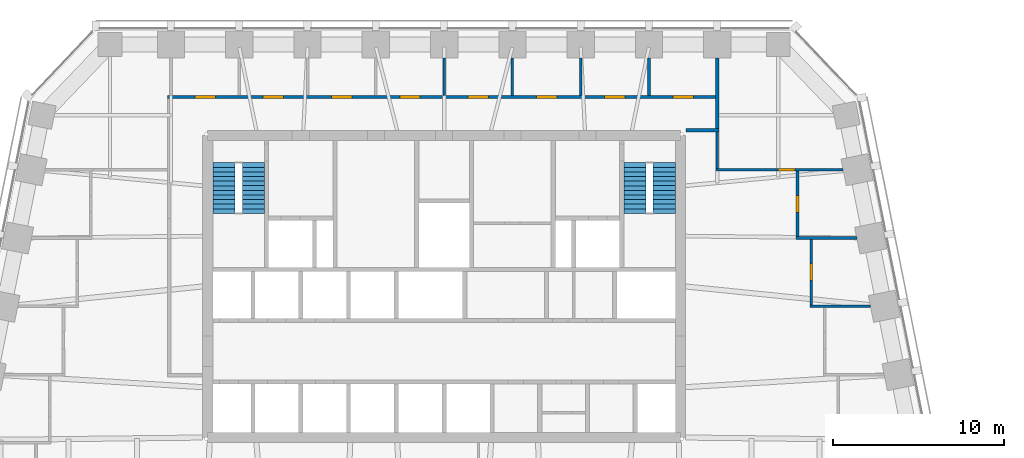
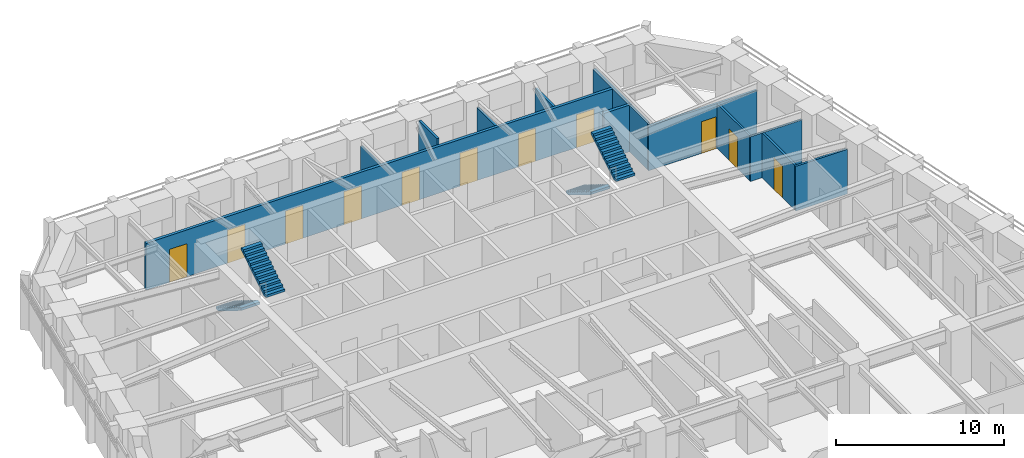
# One storey, part 9 of 11: 13 walls, 11 doors, 4 stair flights, 11 openings, 2 elements without a shape of their own.
"""IFC4 building model written with IfcOpenShell, lengths in metres."""

import ifcopenshell
import ifcopenshell.guid

model = None  # the IFC model being written
_history = None  # IfcOwnerHistory: only IFC2X3 demands one
_inside = {}  # id of a spatial element -> (the spatial element, [elements in it])
_under = {}  # id of a project, library or spatial element -> (it, [spatial elements below it])
_declared = {}  # id of a project -> (the project, [libraries it declares])
_typed = {}  # id of a type object -> (the type object, [elements of that type])
_made_of = {}  # id of a material, layer set ... -> (it, [elements and type objects made of it])


def new_model(schema):
    """Start an empty IFC model of exactly this schema.

    Asked for "IFC4X3", IfcOpenShell would pick the latest addendum, in which some entities
    have other attributes; the version numbers below select the first issue.
    IFC2X3 requires an IfcOwnerHistory on every rooted entity: one is made here for all.
    """
    global model, _history
    if schema == "IFC4X3":
        model = ifcopenshell.file(schema_version=(4, 3, 0, 0))
    else:
        model = ifcopenshell.file(schema=schema)
    _inside.clear()
    _under.clear()
    _declared.clear()
    _typed.clear()
    _made_of.clear()
    _history = None
    if model.schema == "IFC2X3":
        org = make("IfcOrganization", Name="unknown")
        user = make(
            "IfcPersonAndOrganization",
            ThePerson=make("IfcPerson", FamilyName="unknown"),
            TheOrganization=org,
        )
        app = make(
            "IfcApplication",
            ApplicationDeveloper=org,
            Version="unknown",
            ApplicationFullName="unknown",
            ApplicationIdentifier="unknown",
        )
        _history = make(
            "IfcOwnerHistory",
            OwningUser=user,
            OwningApplication=app,
            ChangeAction="ADDED",
            CreationDate=0,
        )
    return model


def make(cls, **values):
    """One entity of the class cls with the attributes given. An attribute that is None is left unset."""
    return model.create_entity(
        cls, **{name: value for name, value in values.items() if value is not None}
    )


def rooted(cls, **values):
    """An entity with a GlobalId (a new one), such as an element, a storey or a relation."""
    return make(cls, GlobalId=ifcopenshell.guid.new(), OwnerHistory=_history, **values)


def si_unit(unit_type, name, prefix=None):
    """IfcSIUnit, for example si_unit("LENGTHUNIT", "METRE", prefix="MILLI")."""
    return make("IfcSIUnit", UnitType=unit_type, Prefix=prefix, Name=name)


def assignment(units):
    """IfcUnitAssignment: the units of a project."""
    return None if units is None else make("IfcUnitAssignment", Units=units)


def point(xyz):
    """IfcCartesianPoint."""
    return None if xyz is None else make("IfcCartesianPoint", Coordinates=xyz)


def direction(xyz):
    """IfcDirection."""
    return None if xyz is None else make("IfcDirection", DirectionRatios=xyz)


def frame(location, z_axis=None, x_axis=None):
    """IfcAxis2Placement3D, a coordinate frame: its origin and axes. An axis left out is left unset."""
    return make(
        "IfcAxis2Placement3D",
        Location=point(location),
        Axis=direction(z_axis),
        RefDirection=direction(x_axis),
    )


def frame_2d(location, x_axis=None):
    """IfcAxis2Placement2D, a coordinate frame in the plane: its origin and x axis."""
    return make(
        "IfcAxis2Placement2D", Location=point(location), RefDirection=direction(x_axis)
    )


def origin():
    """The frame at (0, 0, 0) with its axes left unset."""
    return frame((0.0, 0.0, 0.0))


def place(relative_to, where):
    """IfcLocalPlacement: puts the frame where relative to a parent placement (None: the world)."""
    return make(
        "IfcLocalPlacement", PlacementRelTo=relative_to, RelativePlacement=where
    )


def context(
    kind, dimensions, precision=None, world=None, true_north=None, identifier=None
):
    """IfcGeometricRepresentationContext, for example the 3D "Model" context."""
    return make(
        "IfcGeometricRepresentationContext",
        ContextIdentifier=identifier,
        ContextType=kind,
        CoordinateSpaceDimension=dimensions,
        Precision=precision,
        WorldCoordinateSystem=world,
        TrueNorth=true_north,
    )


def subcontext(parent, identifier, kind, view, scale=None):
    """IfcGeometricRepresentationSubContext, for example "Body" below "Model"."""
    return make(
        "IfcGeometricRepresentationSubContext",
        ContextIdentifier=identifier,
        ContextType=kind,
        ParentContext=parent,
        TargetScale=scale,
        TargetView=view,
    )


def project(units=None, contexts=None):
    """IfcProject with its units and contexts."""
    return rooted(
        "IfcProject",
        Name="project",
        RepresentationContexts=contexts,
        UnitsInContext=assignment(units),
    )


def spatial(cls, under=None, at=None, **own):
    """A site, building, storey or space (cls), placed at a placement, below another one or the project."""
    s = rooted(cls, ObjectPlacement=at, **own)
    if under is not None:
        _under.setdefault(under.id(), (under, []))[1].append(s)
    return s


def polyline(points):
    """IfcPolyline through the points."""
    return make("IfcPolyline", Points=[point(p) for p in points])


def profile(cls, at=None, kind="AREA", **sizes):
    """A parametric profile (cls). Its sizes go by their IFC names, for example OverallWidth=200.0."""
    return make(cls, ProfileType=kind, Position=at, **sizes)


def rectangle(**sizes):
    """IfcRectangleProfileDef."""
    return profile("IfcRectangleProfileDef", **sizes)


def outline(outer, holes=None, kind="AREA"):
    """IfcArbitraryClosedProfileDef: a profile drawn as a closed curve; with holes, ...WithVoids."""
    if holes is None:
        return make("IfcArbitraryClosedProfileDef", ProfileType=kind, OuterCurve=outer)
    return make(
        "IfcArbitraryProfileDefWithVoids",
        ProfileType=kind,
        OuterCurve=outer,
        InnerCurves=holes,
    )


def extrude(swept, where, along, depth):
    """IfcExtrudedAreaSolid: the profile swept, set in the frame where, extruded along a direction by depth."""
    return make(
        "IfcExtrudedAreaSolid",
        SweptArea=swept,
        Position=where,
        ExtrudedDirection=direction(along),
        Depth=depth,
    )


def shape(context_of_items, identifier, shape_type, items):
    """IfcShapeRepresentation: the items that make up one representation, for example the "Body"."""
    return make(
        "IfcShapeRepresentation",
        ContextOfItems=context_of_items,
        RepresentationIdentifier=identifier,
        RepresentationType=shape_type,
        Items=items,
    )


def material(Name=None, Category=None):
    """IfcMaterial."""
    return make("IfcMaterial", Name=Name, Category=Category)


def layer(
    of_material, thickness, ventilated=None, Name=None, Category=None, Priority=None
):
    """IfcMaterialLayer: one layer of a wall or slab, of a material (None: an air gap)."""
    return make(
        "IfcMaterialLayer",
        Material=of_material,
        LayerThickness=thickness,
        IsVentilated=ventilated,
        Name=Name,
        Category=Category,
        Priority=Priority,
    )


def layer_set(layers, Name=None):
    """IfcMaterialLayerSet."""
    return make("IfcMaterialLayerSet", MaterialLayers=layers, LayerSetName=Name)


def made_of(thing, what):
    """Note that an element or type object is made of a material, layer set ...; save() writes the relation."""
    if what is not None:
        _made_of.setdefault(what.id(), (what, []))[1].append(thing)
    return thing


def type_object(cls, material=None, **own):
    """A type object (cls), such as IfcWallType, which elements share."""
    return made_of(rooted(cls, **own), material)


def element(
    cls,
    number,
    at=None,
    inside=None,
    cuts=None,
    type_object=None,
    material=None,
    context=None,
    identifier="Body",
    shape_type=None,
    held_by="IfcProductDefinitionShape",
    body=None,
    shapes=None,
    **own,
):
    """One element of the class cls, such as IfcWall. Its Tag is "e" and its number.

    at: its placement. inside: the storey or other place that contains it. cuts: it is an
    opening in that element (IfcRelVoidsElement). A single representation is given by context,
    identifier, shape_type and body (its items); several are given by shapes. held_by: the class
    of the entity that holds the representations. save() writes the other relations.
    """
    e = rooted(cls, Tag="e%d" % number, ObjectPlacement=at, **own)
    if body is not None:
        shapes = [shape(context, identifier, shape_type, body)]
    if shapes is not None:
        e.Representation = make(held_by, Representations=shapes)
    if inside is not None:
        _inside.setdefault(inside.id(), (inside, []))[1].append(e)
    if cuts is not None:
        rooted(
            "IfcRelVoidsElement", RelatingBuildingElement=cuts, RelatedOpeningElement=e
        )
    if type_object is not None:
        _typed.setdefault(type_object.id(), (type_object, []))[1].append(e)
    return made_of(e, material)


def fill(opening, filler):
    """IfcRelFillsElement: the door or window that sits in an opening."""
    return rooted(
        "IfcRelFillsElement",
        RelatingOpeningElement=opening,
        RelatedBuildingElement=filler,
    )


def aggregate(whole, parts):
    """IfcRelAggregates: a whole, such as a stair, and the parts it consists of."""
    return rooted("IfcRelAggregates", RelatingObject=whole, RelatedObjects=parts)


def save(model, path):
    """Write the relations noted so far, then the file.

    IfcRelAggregates (storeys below a building ...), IfcRelContainedInSpatialStructure (elements
    in a storey), IfcRelDefinesByType, IfcRelAssociatesMaterial and IfcRelDeclares: one each for
    every whole, place, type object, material and project.
    """
    for whole, parts in _under.values():
        aggregate(whole, parts)
    for where, things in _inside.values():
        rooted(
            "IfcRelContainedInSpatialStructure",
            RelatedElements=things,
            RelatingStructure=where,
        )
    for kind, things in _typed.values():
        rooted("IfcRelDefinesByType", RelatedObjects=things, RelatingType=kind)
    for what, things in _made_of.values():
        rooted("IfcRelAssociatesMaterial", RelatedObjects=things, RelatingMaterial=what)
    for by, libraries in _declared.values():
        rooted("IfcRelDeclares", RelatingContext=by, RelatedDefinitions=libraries)
    model.write(path)


model = new_model("IFC4")

# Units and contexts
model_context = context("Model", 3, precision=1e-05, world=origin(), true_north=direction((0.0, 1.0)))
body_context = subcontext(model_context, "Body", "Model", "MODEL_VIEW")
ifc_project = project(units=[si_unit("LENGTHUNIT", "METRE"), si_unit("AREAUNIT", "SQUARE_METRE"), si_unit("VOLUMEUNIT", "CUBIC_METRE"), si_unit("PLANEANGLEUNIT", "RADIAN"), si_unit("MASSUNIT", "GRAM", prefix="KILO")], contexts=[model_context])

# Site, building, storey
site_placement = place(None, origin())
site = spatial("IfcSite", under=ifc_project, at=site_placement, CompositionType="ELEMENT")
building_placement = place(site_placement, origin())
building = spatial("IfcBuilding", under=site, at=building_placement, Name="Isbrekke Arena Tower", CompositionType="ELEMENT")
storey_placement = place(building_placement, frame((0.0, 0.0, 210.0)))
storey = spatial("IfcBuildingStorey", under=building, at=storey_placement, Name="L48", CompositionType="ELEMENT", Elevation=210.0)

# Walls
ifc_material_1 = material(Name="Gypsum board partition on steel studs", Category="steel")
ifc_layer_1 = layer(ifc_material_1, 0.14990234375)
ifc_layer_set_1 = layer_set([ifc_layer_1], Name="IW1 PARTITION 150")
wall_type_1 = type_object("IfcWallType", Name="IW1 PARTITION 150", PredefinedType="PARTITIONING", material=ifc_layer_set_1)
for number, where, z_axis, x_axis, name in (
    (1, (21.425048828125, 13.840087890625, 0.0), (0.0, 0.0, 1.0), (1.0, 0.0, 0.0), "IW1 partition 150 L48"),
    (2, (20.625, 17.840087890625, 0.0), (0.0, 0.0, 1.0), (1.0, 0.0, 0.0), "IW1 partition 150 L48"),
):
    element("IfcWall", number, at=place(storey_placement, frame(where, z_axis=z_axis, x_axis=x_axis)), inside=storey, type_object=wall_type_1, Name=name, PredefinedType="PARTITIONING", context=body_context, shape_type="SweptSolid", body=[
        extrude(rectangle(XDim=3.5498046875, YDim=0.14990234375, at=frame_2d((1.77490234375, 0.0))), origin(), (0.0, 0.0, 1.0), 3.25),
    ])

# Wall, opening, door
wall_1_placement = place(storey_placement, frame((15.925048828125, 21.840087890625, 0.0), z_axis=(0.0, 0.0, 1.0), x_axis=(1.0, 0.0, 0.0)))
wall_1 = element("IfcWall", 3, at=wall_1_placement, inside=storey, type_object=wall_type_1, Name="IW1 partition 150 L48", PredefinedType="PARTITIONING", context=body_context, shape_type="SweptSolid", body=[
    extrude(rectangle(XDim=7.44970703125, YDim=0.14990234375, at=frame_2d((3.724853515625, 0.0))), origin(), (0.0, 0.0, 1.0), 3.25),
])
opening_1_placement = place(wall_1_placement, frame((3.634033203125, 0.0, 0.0)))
opening_1 = element("IfcOpeningElement", 4, at=opening_1_placement, cuts=wall_1, Name="Opening D10", PredefinedType="OPENING", context=body_context, shape_type="SweptSolid", body=[
    extrude(rectangle(XDim=1.0, YDim=2.300048828125, at=frame_2d((0.5, 1.14990234375))), frame((0.0, 0.08984375, 0.0), z_axis=(0.0, -1.0, 0.0), x_axis=(1.0, 0.0, 0.0)), (0.0, 0.0, 1.0), 0.1796875),
])
ifc_material_2 = material(Name="Timber door", Category="wood")
door_type_1 = type_object("IfcDoorType", Name="D10 OFFICE DOOR 1000 x 2300", OperationType="SINGLE_SWING_LEFT", PredefinedType="DOOR", material=ifc_material_2)
door_1_placement = place(opening_1_placement, origin())
door_1 = element("IfcDoor", 5, at=door_1_placement, inside=storey, type_object=door_type_1, Name="D10 office door L48", OperationType="SINGLE_SWING_LEFT", OverallHeight=2.300048828125, OverallWidth=1.0, PredefinedType="DOOR", context=body_context, shape_type="SweptSolid", body=[
    extrude(rectangle(XDim=1.0, YDim=2.300048828125, at=frame_2d((0.5, 1.14990234375))), frame((0.0, 0.07470703125, 0.0), z_axis=(0.0, -1.0, 0.0), x_axis=(1.0, 0.0, 0.0)), (0.0, 0.0, 1.0), 0.1494140625),
])
fill(opening_1, door_1)

# Walls
wall_2_placement = place(storey_placement, frame((0.0, 26.199951171875, 0.0), z_axis=(0.0, 0.0, 1.0), x_axis=(0.0, 1.0, 0.0)))
element("IfcWall", 6, at=wall_2_placement, inside=storey, type_object=wall_type_1, Name="IW1 partition 150 L48", PredefinedType="PARTITIONING", context=body_context, shape_type="SweptSolid", body=[
    extrude(rectangle(XDim=2.175048828125, YDim=0.14990234375, at=frame_2d((1.08740234375, 0.0))), origin(), (0.0, 0.0, 1.0), 3.39990234375),
])
wall_3_placement = place(storey_placement, frame((4.0, 26.199951171875, 0.0), z_axis=(0.0, 0.0, 1.0), x_axis=(0.0, 1.0, 0.0)))
element("IfcWall", 7, at=wall_3_placement, inside=storey, type_object=wall_type_1, Name="IW1 partition 150 L48", PredefinedType="PARTITIONING", context=body_context, shape_type="SweptSolid", body=[
    extrude(rectangle(XDim=2.175048828125, YDim=0.14990234375, at=frame_2d((1.08740234375, 0.0))), origin(), (0.0, 0.0, 1.0), 3.85009765625),
])
for number, where, z_axis, x_axis, name in (
    (8, (8.0, 26.199951171875, 0.0), (0.0, 0.0, 1.0), (0.0, 1.0, 0.0), "IW1 partition 150 L48"),
    (9, (12.0, 26.199951171875, 0.0), (0.0, 0.0, 1.0), (0.0, 1.0, 0.0), "IW1 partition 150 L48"),
):
    element("IfcWall", number, at=place(storey_placement, frame(where, z_axis=z_axis, x_axis=x_axis)), inside=storey, type_object=wall_type_1, Name=name, PredefinedType="PARTITIONING", context=body_context, shape_type="SweptSolid", body=[
        extrude(rectangle(XDim=2.175048828125, YDim=0.14990234375, at=frame_2d((1.08740234375, 0.0))), origin(), (0.0, 0.0, 1.0), 3.39990234375),
    ])
wall_4_placement = place(storey_placement, frame((16.0, 21.9150390625, 0.0), z_axis=(0.0, 0.0, 1.0), x_axis=(0.0, 1.0, 0.0)))
element("IfcWall", 10, at=wall_4_placement, inside=storey, type_object=wall_type_1, Name="IW1 partition 150 L48", PredefinedType="PARTITIONING", context=body_context, shape_type="SweptSolid", body=[
    extrude(rectangle(XDim=2.135009765625, YDim=0.14990234375, at=frame_2d((1.0673828125, 0.0))), origin(), (0.0, 0.0, 1.0), 3.39990234375),
])

# Wall, opening, door
wall_5_placement = place(storey_placement, frame((20.699951171875, 17.9150390625, 0.0), z_axis=(0.0, 0.0, 1.0), x_axis=(0.0, 1.0, 0.0)))
wall_5 = element("IfcWall", 11, at=wall_5_placement, inside=storey, type_object=wall_type_1, Name="IW1 partition 150 L48", PredefinedType="PARTITIONING", context=body_context, shape_type="SweptSolid", body=[
    extrude(rectangle(XDim=3.849853515625, YDim=0.14990234375, at=frame_2d((1.9248046875, 0.0))), origin(), (0.0, 0.0, 1.0), 3.25),
])
opening_2_placement = place(wall_5_placement, frame((1.425048828125, 0.0, 0.0)))
opening_2 = element("IfcOpeningElement", 12, at=opening_2_placement, cuts=wall_5, Name="Opening D10", PredefinedType="OPENING", context=body_context, shape_type="SweptSolid", body=[
    extrude(rectangle(XDim=1.0, YDim=2.300048828125, at=frame_2d((0.5, 1.14990234375))), frame((0.0, 0.08984375, 0.0), z_axis=(0.0, -1.0, 0.0), x_axis=(1.0, 0.0, 0.0)), (0.0, 0.0, 1.0), 0.1796875),
])
door_2_placement = place(opening_2_placement, origin())
door_2 = element("IfcDoor", 13, at=door_2_placement, inside=storey, type_object=door_type_1, Name="D10 office door L48", OperationType="SINGLE_SWING_LEFT", OverallHeight=2.300048828125, OverallWidth=1.0, PredefinedType="DOOR", context=body_context, shape_type="SweptSolid", body=[
    extrude(rectangle(XDim=1.0, YDim=2.300048828125, at=frame_2d((0.5, 1.14990234375))), frame((0.0, 0.07470703125, 0.0), z_axis=(0.0, -1.0, 0.0), x_axis=(1.0, 0.0, 0.0)), (0.0, 0.0, 1.0), 0.1494140625),
])
fill(opening_2, door_2)

wall_6_placement = place(storey_placement, frame((21.5, 13.9150390625, 0.0), z_axis=(0.0, 0.0, 1.0), x_axis=(0.0, 1.0, 0.0)))
wall_6 = element("IfcWall", 14, at=wall_6_placement, inside=storey, type_object=wall_type_1, Name="IW1 partition 150 L48", PredefinedType="PARTITIONING", context=body_context, shape_type="SweptSolid", body=[
    extrude(rectangle(XDim=3.849853515625, YDim=0.14990234375, at=frame_2d((1.9248046875, 0.0))), origin(), (0.0, 0.0, 1.0), 3.25),
])
opening_3_placement = place(wall_6_placement, frame((1.425048828125, 0.0, 0.0)))
opening_3 = element("IfcOpeningElement", 15, at=opening_3_placement, cuts=wall_6, Name="Opening D10", PredefinedType="OPENING", context=body_context, shape_type="SweptSolid", body=[
    extrude(rectangle(XDim=1.0, YDim=2.300048828125, at=frame_2d((0.5, 1.14990234375))), frame((0.0, 0.08984375, 0.0), z_axis=(0.0, -1.0, 0.0), x_axis=(1.0, 0.0, 0.0)), (0.0, 0.0, 1.0), 0.1796875),
])
door_3_placement = place(opening_3_placement, origin())
door_3 = element("IfcDoor", 16, at=door_3_placement, inside=storey, type_object=door_type_1, Name="D10 office door L48", OperationType="SINGLE_SWING_LEFT", OverallHeight=2.300048828125, OverallWidth=1.0, PredefinedType="DOOR", context=body_context, shape_type="SweptSolid", body=[
    extrude(rectangle(XDim=1.0, YDim=2.300048828125, at=frame_2d((0.5, 1.14990234375))), frame((0.0, 0.07470703125, 0.0), z_axis=(0.0, -1.0, 0.0), x_axis=(1.0, 0.0, 0.0)), (0.0, 0.0, 1.0), 0.1494140625),
])
fill(opening_3, door_3)

# Wall
ifc_material_3 = material(Name="Gypsum board fire-cell wall on steel studs, two layers each side", Category="steel")
ifc_layer_2 = layer(ifc_material_3, 0.199951171875)
ifc_layer_set_2 = layer_set([ifc_layer_2], Name="IW3 FIRE-CELL WALL 200")
wall_type_2 = type_object("IfcWallType", Name="IW3 FIRE-CELL WALL 200", PredefinedType="PARTITIONING", material=ifc_layer_set_2)
wall_7_placement = place(storey_placement, frame((14.179931640625, 24.14990234375, 0.0), z_axis=(0.0, 0.0, 1.0), x_axis=(1.0, 0.0, 0.0)))
element("IfcWall", 17, at=wall_7_placement, inside=storey, type_object=wall_type_2, Name="IW3 fire-cell wall 200 L48", PredefinedType="PARTITIONING", context=body_context, shape_type="SweptSolid", body=[
    extrude(rectangle(XDim=1.920166015625, YDim=0.199951171875, at=frame_2d((0.9599609375, 0.0))), origin(), (0.0, 0.0, 1.0), 3.39990234375),
])

# Wall, openings, doors
wall_8_placement = place(storey_placement, frame((-16.199951171875, 26.10009765625, 0.0), z_axis=(0.0, 0.0, 1.0), x_axis=(1.0, 0.0, 0.0)))
wall_8 = element("IfcWall", 18, at=wall_8_placement, inside=storey, type_object=wall_type_2, Name="IW3 fire-cell wall 200 L48", PredefinedType="PARTITIONING", context=body_context, shape_type="SweptSolid", body=[
    extrude(rectangle(XDim=32.099853515625, YDim=0.199951171875, at=frame_2d((16.0498046875, 0.0))), origin(), (0.0, 0.0, 1.0), 3.39990234375),
])
opening_4_placement = place(wall_8_placement, frame((1.60009765625, 0.0, 0.0)))
opening_4 = element("IfcOpeningElement", 19, at=opening_4_placement, cuts=wall_8, Name="Opening D12", PredefinedType="OPENING", context=body_context, shape_type="SweptSolid", body=[
    extrude(rectangle(XDim=1.199951171875, YDim=2.39990234375, at=frame_2d((0.60009765625, 1.199951171875))), frame((0.0, 0.11474609375, 0.0), z_axis=(0.0, -1.0, 0.0), x_axis=(1.0, 0.0, 0.0)), (0.0, 0.0, 1.0), 0.229736328125),
])
opening_5_placement = place(wall_8_placement, frame((5.60009765625, 0.0, 0.0)))
opening_5 = element("IfcOpeningElement", 20, at=opening_5_placement, cuts=wall_8, Name="Opening D12", PredefinedType="OPENING", context=body_context, shape_type="SweptSolid", body=[
    extrude(rectangle(XDim=1.199951171875, YDim=2.39990234375, at=frame_2d((0.60009765625, 1.199951171875))), frame((0.0, 0.11474609375, 0.0), z_axis=(0.0, -1.0, 0.0), x_axis=(1.0, 0.0, 0.0)), (0.0, 0.0, 1.0), 0.229736328125),
])
opening_6_placement = place(wall_8_placement, frame((9.60009765625, 0.0, 0.0)))
opening_6 = element("IfcOpeningElement", 21, at=opening_6_placement, cuts=wall_8, Name="Opening D12", PredefinedType="OPENING", context=body_context, shape_type="SweptSolid", body=[
    extrude(rectangle(XDim=1.199951171875, YDim=2.39990234375, at=frame_2d((0.60009765625, 1.199951171875))), frame((0.0, 0.11474609375, 0.0), z_axis=(0.0, -1.0, 0.0), x_axis=(1.0, 0.0, 0.0)), (0.0, 0.0, 1.0), 0.229736328125),
])
opening_7_placement = place(wall_8_placement, frame((13.60009765625, 0.0, 0.0)))
opening_7 = element("IfcOpeningElement", 22, at=opening_7_placement, cuts=wall_8, Name="Opening D12", PredefinedType="OPENING", context=body_context, shape_type="SweptSolid", body=[
    extrude(rectangle(XDim=1.199951171875, YDim=2.39990234375, at=frame_2d((0.60009765625, 1.199951171875))), frame((0.0, 0.11474609375, 0.0), z_axis=(0.0, -1.0, 0.0), x_axis=(1.0, 0.0, 0.0)), (0.0, 0.0, 1.0), 0.229736328125),
])
opening_8_placement = place(wall_8_placement, frame((17.60009765625, 0.0, 0.0)))
opening_8 = element("IfcOpeningElement", 23, at=opening_8_placement, cuts=wall_8, Name="Opening D12", PredefinedType="OPENING", context=body_context, shape_type="SweptSolid", body=[
    extrude(rectangle(XDim=1.199951171875, YDim=2.39990234375, at=frame_2d((0.60009765625, 1.199951171875))), frame((0.0, 0.11474609375, 0.0), z_axis=(0.0, -1.0, 0.0), x_axis=(1.0, 0.0, 0.0)), (0.0, 0.0, 1.0), 0.229736328125),
])
opening_9_placement = place(wall_8_placement, frame((21.60009765625, 0.0, 0.0)))
opening_9 = element("IfcOpeningElement", 24, at=opening_9_placement, cuts=wall_8, Name="Opening D12", PredefinedType="OPENING", context=body_context, shape_type="SweptSolid", body=[
    extrude(rectangle(XDim=1.199951171875, YDim=2.39990234375, at=frame_2d((0.60009765625, 1.199951171875))), frame((0.0, 0.11474609375, 0.0), z_axis=(0.0, -1.0, 0.0), x_axis=(1.0, 0.0, 0.0)), (0.0, 0.0, 1.0), 0.229736328125),
])
opening_10_placement = place(wall_8_placement, frame((25.60009765625, 0.0, 0.0)))
opening_10 = element("IfcOpeningElement", 25, at=opening_10_placement, cuts=wall_8, Name="Opening D12", PredefinedType="OPENING", context=body_context, shape_type="SweptSolid", body=[
    extrude(rectangle(XDim=1.199951171875, YDim=2.39990234375, at=frame_2d((0.60009765625, 1.199951171875))), frame((0.0, 0.11474609375, 0.0), z_axis=(0.0, -1.0, 0.0), x_axis=(1.0, 0.0, 0.0)), (0.0, 0.0, 1.0), 0.229736328125),
])
opening_11_placement = place(wall_8_placement, frame((29.60009765625, 0.0, 0.0)))
opening_11 = element("IfcOpeningElement", 26, at=opening_11_placement, cuts=wall_8, Name="Opening D12", PredefinedType="OPENING", context=body_context, shape_type="SweptSolid", body=[
    extrude(rectangle(XDim=1.199951171875, YDim=2.39990234375, at=frame_2d((0.60009765625, 1.199951171875))), frame((0.0, 0.11474609375, 0.0), z_axis=(0.0, -1.0, 0.0), x_axis=(1.0, 0.0, 0.0)), (0.0, 0.0, 1.0), 0.229736328125),
])
ifc_material_4 = material(Name="Timber fire door with vision panel", Category="wood")
door_type_2 = type_object("IfcDoorType", Name="D12 SUITE ENTRANCE DOOR 1200 x 2400", OperationType="SINGLE_SWING_LEFT", PredefinedType="DOOR", material=ifc_material_4)
door_4_placement = place(opening_4_placement, origin())
door_4 = element("IfcDoor", 27, at=door_4_placement, inside=storey, type_object=door_type_2, Name="D12 office door L48", OperationType="SINGLE_SWING_LEFT", OverallHeight=2.39990234375, OverallWidth=1.199951171875, PredefinedType="DOOR", context=body_context, shape_type="SweptSolid", body=[
    extrude(rectangle(XDim=1.199951171875, YDim=2.39990234375, at=frame_2d((0.60009765625, 1.199951171875))), frame((0.0, 0.099609375, 0.0), z_axis=(0.0, -1.0, 0.0), x_axis=(1.0, 0.0, 0.0)), (0.0, 0.0, 1.0), 0.199462890625),
])
fill(opening_4, door_4)
door_5_placement = place(opening_5_placement, origin())
door_5 = element("IfcDoor", 28, at=door_5_placement, inside=storey, type_object=door_type_2, Name="D12 office door L48", OperationType="SINGLE_SWING_LEFT", OverallHeight=2.39990234375, OverallWidth=1.199951171875, PredefinedType="DOOR", context=body_context, shape_type="SweptSolid", body=[
    extrude(rectangle(XDim=1.199951171875, YDim=2.39990234375, at=frame_2d((0.60009765625, 1.199951171875))), frame((0.0, 0.099609375, 0.0), z_axis=(0.0, -1.0, 0.0), x_axis=(1.0, 0.0, 0.0)), (0.0, 0.0, 1.0), 0.199462890625),
])
fill(opening_5, door_5)
door_6_placement = place(opening_6_placement, origin())
door_6 = element("IfcDoor", 29, at=door_6_placement, inside=storey, type_object=door_type_2, Name="D12 office door L48", OperationType="SINGLE_SWING_LEFT", OverallHeight=2.39990234375, OverallWidth=1.199951171875, PredefinedType="DOOR", context=body_context, shape_type="SweptSolid", body=[
    extrude(rectangle(XDim=1.199951171875, YDim=2.39990234375, at=frame_2d((0.60009765625, 1.199951171875))), frame((0.0, 0.099609375, 0.0), z_axis=(0.0, -1.0, 0.0), x_axis=(1.0, 0.0, 0.0)), (0.0, 0.0, 1.0), 0.199462890625),
])
fill(opening_6, door_6)
door_7_placement = place(opening_7_placement, origin())
door_7 = element("IfcDoor", 30, at=door_7_placement, inside=storey, type_object=door_type_2, Name="D12 office door L48", OperationType="SINGLE_SWING_LEFT", OverallHeight=2.39990234375, OverallWidth=1.199951171875, PredefinedType="DOOR", context=body_context, shape_type="SweptSolid", body=[
    extrude(rectangle(XDim=1.199951171875, YDim=2.39990234375, at=frame_2d((0.60009765625, 1.199951171875))), frame((0.0, 0.099609375, 0.0), z_axis=(0.0, -1.0, 0.0), x_axis=(1.0, 0.0, 0.0)), (0.0, 0.0, 1.0), 0.199462890625),
])
fill(opening_7, door_7)
door_8_placement = place(opening_8_placement, origin())
door_8 = element("IfcDoor", 31, at=door_8_placement, inside=storey, type_object=door_type_2, Name="D12 office door L48", OperationType="SINGLE_SWING_LEFT", OverallHeight=2.39990234375, OverallWidth=1.199951171875, PredefinedType="DOOR", context=body_context, shape_type="SweptSolid", body=[
    extrude(rectangle(XDim=1.199951171875, YDim=2.39990234375, at=frame_2d((0.60009765625, 1.199951171875))), frame((0.0, 0.099609375, 0.0), z_axis=(0.0, -1.0, 0.0), x_axis=(1.0, 0.0, 0.0)), (0.0, 0.0, 1.0), 0.199462890625),
])
fill(opening_8, door_8)
door_9_placement = place(opening_9_placement, origin())
door_9 = element("IfcDoor", 32, at=door_9_placement, inside=storey, type_object=door_type_2, Name="D12 office door L48", OperationType="SINGLE_SWING_LEFT", OverallHeight=2.39990234375, OverallWidth=1.199951171875, PredefinedType="DOOR", context=body_context, shape_type="SweptSolid", body=[
    extrude(rectangle(XDim=1.199951171875, YDim=2.39990234375, at=frame_2d((0.60009765625, 1.199951171875))), frame((0.0, 0.099609375, 0.0), z_axis=(0.0, -1.0, 0.0), x_axis=(1.0, 0.0, 0.0)), (0.0, 0.0, 1.0), 0.199462890625),
])
fill(opening_9, door_9)
door_10_placement = place(opening_10_placement, origin())
door_10 = element("IfcDoor", 33, at=door_10_placement, inside=storey, type_object=door_type_2, Name="D12 office door L48", OperationType="SINGLE_SWING_LEFT", OverallHeight=2.39990234375, OverallWidth=1.199951171875, PredefinedType="DOOR", context=body_context, shape_type="SweptSolid", body=[
    extrude(rectangle(XDim=1.199951171875, YDim=2.39990234375, at=frame_2d((0.60009765625, 1.199951171875))), frame((0.0, 0.099609375, 0.0), z_axis=(0.0, -1.0, 0.0), x_axis=(1.0, 0.0, 0.0)), (0.0, 0.0, 1.0), 0.199462890625),
])
fill(opening_10, door_10)
door_11_placement = place(opening_11_placement, origin())
door_11 = element("IfcDoor", 34, at=door_11_placement, inside=storey, type_object=door_type_2, Name="D12 office door L48", OperationType="SINGLE_SWING_LEFT", OverallHeight=2.39990234375, OverallWidth=1.199951171875, PredefinedType="DOOR", context=body_context, shape_type="SweptSolid", body=[
    extrude(rectangle(XDim=1.199951171875, YDim=2.39990234375, at=frame_2d((0.60009765625, 1.199951171875))), frame((0.0, 0.099609375, 0.0), z_axis=(0.0, -1.0, 0.0), x_axis=(1.0, 0.0, 0.0)), (0.0, 0.0, 1.0), 0.199462890625),
])
fill(opening_11, door_11)

# Wall
wall_9_placement = place(storey_placement, frame((16.0, 24.25, 0.0), z_axis=(0.0, 0.0, 1.0), x_axis=(0.0, 1.0, 0.0)))
element("IfcWall", 35, at=wall_9_placement, inside=storey, type_object=wall_type_2, Name="IW3 fire-cell wall 200 L48", PredefinedType="PARTITIONING", context=body_context, shape_type="SweptSolid", body=[
    extrude(rectangle(XDim=4.125, YDim=0.199951171875, at=frame_2d((2.0625, 0.0))), origin(), (0.0, 0.0, 1.0), 3.39990234375),
])

# Stair, stair flights
ifc_material_5 = material(Name="Concrete B45 (C45/55) precast", Category="concrete")
stair_type = type_object("IfcStairType", Name="ST40 STAIR 1300 WIDE, 24 RISERS 167", PredefinedType="HALF_TURN_STAIR", material=ifc_material_5)
stair_1_placement = place(storey_placement, origin())
stair_1 = element("IfcStair", 36, at=stair_1_placement, inside=storey, type_object=stair_type, Name="ST1 stair L48", PredefinedType="HALF_TURN_STAIR")
ifc_material_6 = material(Name="Concrete B45 (C45/55) precast", Category="concrete")
stair_flight_type = type_object("IfcStairFlightType", Name="SF 1300 FLIGHT", PredefinedType="STRAIGHT", material=ifc_material_6)
stair_flight_1_placement = place(storey_placement, frame((-12.89990234375, 22.25, 0.0), z_axis=(0.0, 0.0, 1.0), x_axis=(0.0, -1.0, 0.0)))
stair_flight_1 = element("IfcStairFlight", 37, at=stair_flight_1_placement, type_object=stair_flight_type, Name="ST1 flight 1", NumberOfRisers=12, NumberOfTreads=11, PredefinedType="STRAIGHT", RiserHeight=0.166666667, TreadLength=0.27, context=body_context, shape_type="SweptSolid", body=[
    extrude(outline(polyline([(0.0, 0.0), (0.0, 0.166748046875), (0.27001953125, 0.166748046875), (0.27001953125, 0.333251953125), (0.5400390625, 0.333251953125), (0.5400390625, 0.5), (0.81005859375, 0.5), (0.81005859375, 0.666748046875), (1.080078125, 0.666748046875), (1.080078125, 0.833251953125), (1.35009765625, 0.833251953125), (1.35009765625, 1.0), (1.6201171875, 1.0), (1.6201171875, 1.166748046875), (1.889892578125, 1.166748046875), (1.889892578125, 1.333251953125), (2.159912109375, 1.333251953125), (2.159912109375, 1.5), (2.429931640625, 1.5), (2.429931640625, 1.666748046875), (2.699951171875, 1.666748046875), (2.699951171875, 1.833251953125), (2.969970703125, 1.833251953125), (2.969970703125, 2.0), (2.969970703125, 1.6572265625), (0.285400390625, 0.0), (0.0, 0.0)])), frame((0.0, 0.64990234375, 0.0), z_axis=(0.0, -1.0, 0.0), x_axis=(1.0, 0.0, 0.0)), (0.0, 0.0, 1.0), 1.300048828125),
])
stair_flight_2_placement = place(storey_placement, frame((-11.175048828125, 19.280029296875, 2.0), z_axis=(0.0, 0.0, 1.0), x_axis=(0.0, 1.0, 0.0)))
stair_flight_2 = element("IfcStairFlight", 38, at=stair_flight_2_placement, type_object=stair_flight_type, Name="ST1 flight 2", NumberOfRisers=12, NumberOfTreads=11, PredefinedType="STRAIGHT", RiserHeight=0.166666667, TreadLength=0.27, context=body_context, shape_type="SweptSolid", body=[
    extrude(outline(polyline([(0.0, 0.0), (0.0, 0.166748046875), (0.27001953125, 0.166748046875), (0.27001953125, 0.333251953125), (0.5400390625, 0.333251953125), (0.5400390625, 0.5), (0.81005859375, 0.5), (0.81005859375, 0.666748046875), (1.080078125, 0.666748046875), (1.080078125, 0.833251953125), (1.35009765625, 0.833251953125), (1.35009765625, 1.0), (1.6201171875, 1.0), (1.6201171875, 1.166748046875), (1.889892578125, 1.166748046875), (1.889892578125, 1.333251953125), (2.159912109375, 1.333251953125), (2.159912109375, 1.5), (2.429931640625, 1.5), (2.429931640625, 1.666748046875), (2.699951171875, 1.666748046875), (2.699951171875, 1.833251953125), (2.969970703125, 1.833251953125), (2.969970703125, 2.0), (2.969970703125, 1.6572265625), (0.285400390625, 0.0), (0.0, 0.0)])), frame((0.0, 0.64990234375, 0.0), z_axis=(0.0, -1.0, 0.0), x_axis=(1.0, 0.0, 0.0)), (0.0, 0.0, 1.0), 1.300048828125),
])
aggregate(stair_1, [stair_flight_1, stair_flight_2])

stair_2_placement = place(storey_placement, origin())
stair_2 = element("IfcStair", 39, at=stair_2_placement, inside=storey, type_object=stair_type, Name="ST2 stair L48", PredefinedType="HALF_TURN_STAIR")
stair_flight_3_placement = place(storey_placement, frame((11.175048828125, 22.25, 0.0), z_axis=(0.0, 0.0, 1.0), x_axis=(0.0, -1.0, 0.0)))
stair_flight_3 = element("IfcStairFlight", 40, at=stair_flight_3_placement, type_object=stair_flight_type, Name="ST2 flight 1", NumberOfRisers=12, NumberOfTreads=11, PredefinedType="STRAIGHT", RiserHeight=0.166666667, TreadLength=0.27, context=body_context, shape_type="SweptSolid", body=[
    extrude(outline(polyline([(0.0, 0.0), (0.0, 0.166748046875), (0.27001953125, 0.166748046875), (0.27001953125, 0.333251953125), (0.5400390625, 0.333251953125), (0.5400390625, 0.5), (0.81005859375, 0.5), (0.81005859375, 0.666748046875), (1.080078125, 0.666748046875), (1.080078125, 0.833251953125), (1.35009765625, 0.833251953125), (1.35009765625, 1.0), (1.6201171875, 1.0), (1.6201171875, 1.166748046875), (1.889892578125, 1.166748046875), (1.889892578125, 1.333251953125), (2.159912109375, 1.333251953125), (2.159912109375, 1.5), (2.429931640625, 1.5), (2.429931640625, 1.666748046875), (2.699951171875, 1.666748046875), (2.699951171875, 1.833251953125), (2.969970703125, 1.833251953125), (2.969970703125, 2.0), (2.969970703125, 1.6572265625), (0.285400390625, 0.0), (0.0, 0.0)])), frame((0.0, 0.64990234375, 0.0), z_axis=(0.0, -1.0, 0.0), x_axis=(1.0, 0.0, 0.0)), (0.0, 0.0, 1.0), 1.300048828125),
])
stair_flight_4_placement = place(storey_placement, frame((12.89990234375, 19.280029296875, 2.0), z_axis=(0.0, 0.0, 1.0), x_axis=(0.0, 1.0, 0.0)))
stair_flight_4 = element("IfcStairFlight", 41, at=stair_flight_4_placement, type_object=stair_flight_type, Name="ST2 flight 2", NumberOfRisers=12, NumberOfTreads=11, PredefinedType="STRAIGHT", RiserHeight=0.166666667, TreadLength=0.27, context=body_context, shape_type="SweptSolid", body=[
    extrude(outline(polyline([(0.0, 0.0), (0.0, 0.166748046875), (0.27001953125, 0.166748046875), (0.27001953125, 0.333251953125), (0.5400390625, 0.333251953125), (0.5400390625, 0.5), (0.81005859375, 0.5), (0.81005859375, 0.666748046875), (1.080078125, 0.666748046875), (1.080078125, 0.833251953125), (1.35009765625, 0.833251953125), (1.35009765625, 1.0), (1.6201171875, 1.0), (1.6201171875, 1.166748046875), (1.889892578125, 1.166748046875), (1.889892578125, 1.333251953125), (2.159912109375, 1.333251953125), (2.159912109375, 1.5), (2.429931640625, 1.5), (2.429931640625, 1.666748046875), (2.699951171875, 1.666748046875), (2.699951171875, 1.833251953125), (2.969970703125, 1.833251953125), (2.969970703125, 2.0), (2.969970703125, 1.6572265625), (0.285400390625, 0.0), (0.0, 0.0)])), frame((0.0, 0.64990234375, 0.0), z_axis=(0.0, -1.0, 0.0), x_axis=(1.0, 0.0, 0.0)), (0.0, 0.0, 1.0), 1.300048828125),
])
aggregate(stair_2, [stair_flight_3, stair_flight_4])

save(model, "model.ifc")
